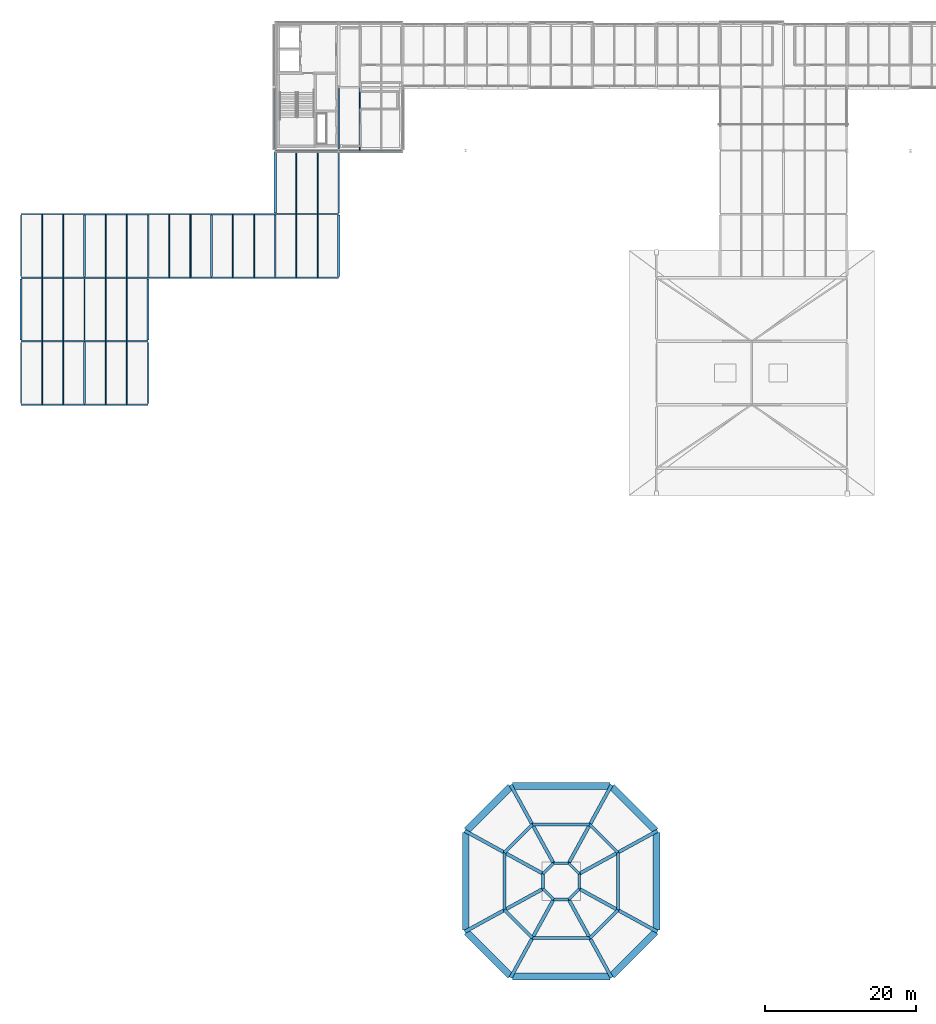
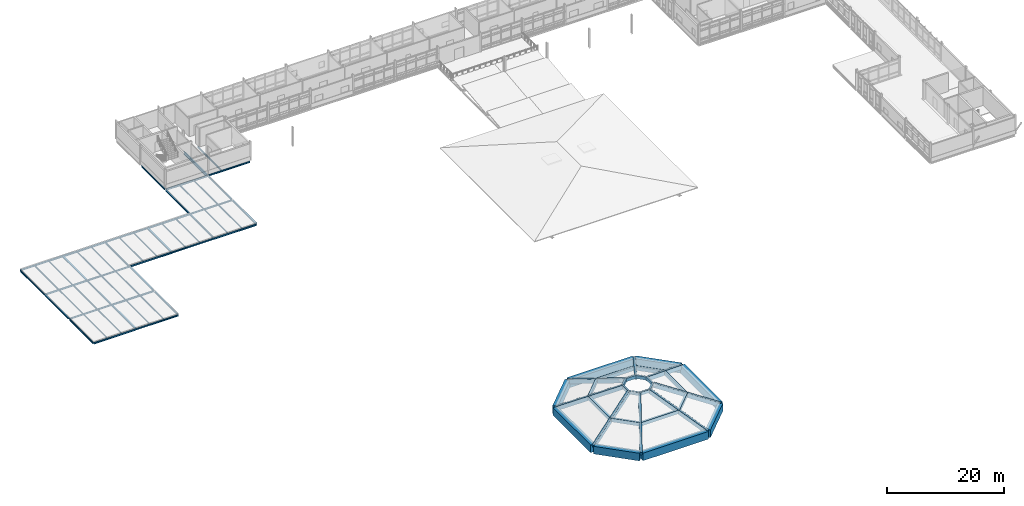
# One storey, part 7 of 66: 85 beams.
"""IFC4 building model written with IfcOpenShell, lengths in metres."""

from ifc_helpers import new_model, si_unit, direction, frame, origin, origin_2d, place, context, subcontext, project, spatial, rectangle, i_section, extrude, material, material_profile, profile_set, type_object, element, save


model = new_model("IFC4")

# Units and contexts
model_context = context("Model", 3, precision=1e-05, world=origin(), true_north=direction((0.0, 1.0)))
body_context = subcontext(model_context, "Body", "Model", "MODEL_VIEW")
ifc_project = project(units=[si_unit("LENGTHUNIT", "METRE"), si_unit("AREAUNIT", "SQUARE_METRE"), si_unit("VOLUMEUNIT", "CUBIC_METRE"), si_unit("PLANEANGLEUNIT", "RADIAN"), si_unit("MASSUNIT", "GRAM", prefix="KILO")], contexts=[model_context])

# Site, building, storey
site_placement = place(None, origin())
site = spatial("IfcSite", under=ifc_project, at=site_placement, CompositionType="ELEMENT")
building_placement = place(site_placement, origin())
building = spatial("IfcBuilding", under=site, at=building_placement, Name="Mersafa Astral City Hall", CompositionType="ELEMENT")
storey_placement = place(building_placement, frame((0.0, 0.0, 22.050048828125)))
storey = spatial("IfcBuildingStorey", under=building, at=storey_placement, Name="L05", CompositionType="ELEMENT", Elevation=22.050048828125)

# Beams
ifc_material_1 = material(Name="Steel S355", Category="steel")
ifc_material_profile_1 = material_profile(ifc_material_1, i_section(OverallWidth=0.219970703125, OverallDepth=0.60009765625, WebThickness=0.011962890625, FlangeThickness=0.01904296875, FilletRadius=0.02392578125, at=origin_2d()), Name="IPE 600")
ifc_profile_set_1 = profile_set([ifc_material_profile_1], Name="Steel S355")
beam_type_1 = type_object("IfcBeamType", Name="STR-BM-IPE600", PredefinedType="BEAM", material=ifc_profile_set_1)
beam_1_placement = place(storey_placement, frame((50.39990234375, 109.39501953125, -0.47998046875), z_axis=(0.0, 1.0, 0.0), x_axis=(-1.0, 0.0, 0.0)))
element("IfcBeam", 1, at=beam_1_placement, inside=storey, type_object=beam_type_1, Name="L05 Primary girder Y 6-13", PredefinedType="BEAM", context=body_context, shape_type="SweptSolid", body=[
    extrude(i_section(OverallWidth=0.219970703125, OverallDepth=0.60009765625, WebThickness=0.011962890625, FlangeThickness=0.01904296875, FilletRadius=0.02392578125, at=origin_2d()), origin(), (0.0, 0.0, 1.0), 8.010009765625),
])
ifc_material_profile_2 = material_profile(ifc_material_1, i_section(OverallWidth=0.135009765625, OverallDepth=0.27001953125, WebThickness=0.006591796875, FlangeThickness=0.01025390625, FilletRadius=0.014892578125, at=origin_2d()), Name="IPE 270")
ifc_profile_set_2 = profile_set([ifc_material_profile_2], Name="Steel S355")
beam_type_2 = type_object("IfcBeamType", Name="STR-BM-JOIST-IPE270", PredefinedType="JOIST", material=ifc_profile_set_2)
beam_2_placement = place(storey_placement, frame((53.199951171875, 109.27490234375, -0.31494140625), z_axis=(0.0, 1.0, 0.0), x_axis=(-1.0, 0.0, 0.0)))
element("IfcBeam", 2, at=beam_2_placement, inside=storey, type_object=beam_type_2, Name="L05 Composite secondary floor joist 785", PredefinedType="JOIST", context=body_context, shape_type="SweptSolid", body=[
    extrude(i_section(OverallWidth=0.135009765625, OverallDepth=0.27001953125, WebThickness=0.006591796875, FlangeThickness=0.01025390625, FilletRadius=0.014892578125, at=origin_2d()), origin(), (0.0, 0.0, 1.0), 8.22998046875),
])
for number, where, z_axis, x_axis, name in (
    (3, (11.199951171875, 75.679931640625, -0.3349609375), (0.0, 1.0, 0.0), (-1.0, 0.0, 0.0), "L05 Flat roof secondary joist 1"),
    (4, (14.0, 75.679931640625, -0.3349609375), (0.0, 1.0, 0.0), (-1.0, 0.0, 0.0), "L05 Flat roof secondary joist 2"),
    (5, (11.199951171875, 84.074951171875, -0.3349609375), (0.0, 1.0, 0.0), (-1.0, 0.0, 0.0), "L05 Flat roof secondary joist 3"),
    (6, (14.0, 84.074951171875, -0.3349609375), (0.0, 1.0, 0.0), (-1.0, 0.0, 0.0), "L05 Flat roof secondary joist 4"),
    (7, (11.199951171875, 92.47998046875, -0.3349609375), (0.0, 1.0, 0.0), (-1.0, 0.0, 0.0), "L05 Flat roof secondary joist 5"),
    (8, (14.0, 92.47998046875, -0.3349609375), (0.0, 1.0, 0.0), (-1.0, 0.0, 0.0), "L05 Flat roof secondary joist 6"),
):
    element("IfcBeam", number, at=place(storey_placement, frame(where, z_axis=z_axis, x_axis=x_axis)), inside=storey, type_object=beam_type_2, Name=name, PredefinedType="JOIST", context=body_context, shape_type="SweptSolid", body=[
        extrude(i_section(OverallWidth=0.135009765625, OverallDepth=0.27001953125, WebThickness=0.006591796875, FlangeThickness=0.01025390625, FilletRadius=0.014892578125, at=origin_2d()), origin(), (0.0, 0.0, 1.0), 8.2451171875),
    ])
for number, where, z_axis, x_axis, name in (
    (9, (19.60009765625, 75.675048828125, -0.3349609375), (0.0, 1.0, 0.0), (-1.0, 0.0, 0.0), "L05 Flat roof secondary joist 7"),
    (10, (22.39990234375, 75.675048828125, -0.3349609375), (0.0, 1.0, 0.0), (-1.0, 0.0, 0.0), "L05 Flat roof secondary joist 8"),
    (11, (19.60009765625, 84.080078125, -0.3349609375), (0.0, 1.0, 0.0), (-1.0, 0.0, 0.0), "L05 Flat roof secondary joist 9"),
    (12, (22.39990234375, 84.080078125, -0.3349609375), (0.0, 1.0, 0.0), (-1.0, 0.0, 0.0), "L05 Flat roof secondary joist 10"),
    (13, (19.60009765625, 92.47509765625, -0.3349609375), (0.0, 1.0, 0.0), (-1.0, 0.0, 0.0), "L05 Flat roof secondary joist 11"),
    (14, (22.39990234375, 92.47509765625, -0.3349609375), (0.0, 1.0, 0.0), (-1.0, 0.0, 0.0), "L05 Flat roof secondary joist 12"),
):
    element("IfcBeam", number, at=place(storey_placement, frame(where, z_axis=z_axis, x_axis=x_axis)), inside=storey, type_object=beam_type_2, Name=name, PredefinedType="JOIST", context=body_context, shape_type="SweptSolid", body=[
        extrude(i_section(OverallWidth=0.135009765625, OverallDepth=0.27001953125, WebThickness=0.006591796875, FlangeThickness=0.01025390625, FilletRadius=0.014892578125, at=origin_2d()), origin(), (0.0, 0.0, 1.0), 8.244873046875),
    ])
for number, where, z_axis, x_axis, name in (
    (15, (28.0, 92.47998046875, -0.3349609375), (0.0, 1.0, 0.0), (-1.0, 0.0, 0.0), "L05 Flat roof secondary joist 13"),
    (16, (30.800048828125, 92.47998046875, -0.3349609375), (0.0, 1.0, 0.0), (-1.0, 0.0, 0.0), "L05 Flat roof secondary joist 14"),
):
    element("IfcBeam", number, at=place(storey_placement, frame(where, z_axis=z_axis, x_axis=x_axis)), inside=storey, type_object=beam_type_2, Name=name, PredefinedType="JOIST", context=body_context, shape_type="SweptSolid", body=[
        extrude(i_section(OverallWidth=0.135009765625, OverallDepth=0.27001953125, WebThickness=0.006591796875, FlangeThickness=0.01025390625, FilletRadius=0.014892578125, at=origin_2d()), origin(), (0.0, 0.0, 1.0), 8.2451171875),
    ])
for number, where, z_axis, x_axis, name in (
    (17, (36.39990234375, 92.47509765625, -0.3349609375), (0.0, 1.0, 0.0), (-1.0, 0.0, 0.0), "L05 Flat roof secondary joist 15"),
    (18, (39.199951171875, 92.47509765625, -0.3349609375), (0.0, 1.0, 0.0), (-1.0, 0.0, 0.0), "L05 Flat roof secondary joist 16"),
):
    element("IfcBeam", number, at=place(storey_placement, frame(where, z_axis=z_axis, x_axis=x_axis)), inside=storey, type_object=beam_type_2, Name=name, PredefinedType="JOIST", context=body_context, shape_type="SweptSolid", body=[
        extrude(i_section(OverallWidth=0.135009765625, OverallDepth=0.27001953125, WebThickness=0.006591796875, FlangeThickness=0.01025390625, FilletRadius=0.014892578125, at=origin_2d()), origin(), (0.0, 0.0, 1.0), 8.244873046875),
    ])
for number, where, z_axis, x_axis, name in (
    (19, (44.800048828125, 92.47998046875, -0.3349609375), (0.0, 1.0, 0.0), (-1.0, 0.0, 0.0), "L05 Flat roof secondary joist 17"),
    (20, (47.60009765625, 92.47998046875, -0.3349609375), (0.0, 1.0, 0.0), (-1.0, 0.0, 0.0), "L05 Flat roof secondary joist 18"),
    (21, (44.800048828125, 100.875, -0.3349609375), (0.0, 1.0, 0.0), (-1.0, 0.0, 0.0), "L05 Flat roof secondary joist 19"),
    (22, (47.60009765625, 100.875, -0.3349609375), (0.0, 1.0, 0.0), (-1.0, 0.0, 0.0), "L05 Flat roof secondary joist 20"),
):
    element("IfcBeam", number, at=place(storey_placement, frame(where, z_axis=z_axis, x_axis=x_axis)), inside=storey, type_object=beam_type_2, Name=name, PredefinedType="JOIST", context=body_context, shape_type="SweptSolid", body=[
        extrude(i_section(OverallWidth=0.135009765625, OverallDepth=0.27001953125, WebThickness=0.006591796875, FlangeThickness=0.01025390625, FilletRadius=0.014892578125, at=origin_2d()), origin(), (0.0, 0.0, 1.0), 8.2451171875),
    ])
ifc_material_2 = material(Name="Concrete C40/50", Category="concrete")
ifc_material_profile_3 = material_profile(ifc_material_2, rectangle(XDim=0.35009765625, YDim=0.64990234375, at=origin_2d()), Name="RC 350x650")
ifc_profile_set_3 = profile_set([ifc_material_profile_3], Name="Concrete C40/50")
beam_type_3 = type_object("IfcBeamType", Name="STR-BM-RIB-RC350X650", PredefinedType="T_BEAM", material=ifc_profile_set_3)
beam_3_placement = place(storey_placement, frame((78.800048828125, 10.199951171875, 4.074951171875), z_axis=(1.0, 0.0, 0.0), x_axis=(0.0, 1.0, 0.0)))
element("IfcBeam", 23, at=beam_3_placement, inside=storey, type_object=beam_type_3, Name="Chamber solar oculus compression ring rib 1", PredefinedType="T_BEAM", context=body_context, shape_type="SweptSolid", body=[
    extrude(rectangle(XDim=0.35009765625, YDim=0.64990234375, at=origin_2d()), origin(), (0.0, 0.0, 1.0), 2.0),
])
beam_4_placement = place(storey_placement, frame((80.800048828125, 10.199951171875, 4.074951171875), z_axis=(0.707045124756, 0.707168432242, 0.0), x_axis=(-0.707168432242, 0.707045124756, 0.0)))
element("IfcBeam", 24, at=beam_4_placement, inside=storey, type_object=beam_type_3, Name="Chamber solar oculus compression ring rib 2", PredefinedType="T_BEAM", context=body_context, shape_type="SweptSolid", body=[
    extrude(rectangle(XDim=0.35009765625, YDim=0.64990234375, at=origin_2d()), origin(), (0.0, 0.0, 1.0), 1.97998046875),
])
beam_5_placement = place(storey_placement, frame((82.199951171875, 11.60009765625, 4.074951171875), z_axis=(0.0, 1.0, 0.0), x_axis=(-1.0, 0.0, 0.0)))
element("IfcBeam", 25, at=beam_5_placement, inside=storey, type_object=beam_type_3, Name="Chamber solar oculus compression ring rib 3", PredefinedType="T_BEAM", context=body_context, shape_type="SweptSolid", body=[
    extrude(rectangle(XDim=0.35009765625, YDim=0.64990234375, at=origin_2d()), origin(), (0.0, 0.0, 1.0), 2.0),
])
beam_6_placement = place(storey_placement, frame((82.199951171875, 13.60009765625, 4.074951171875), z_axis=(-0.707106781187, 0.707106781187, 0.0), x_axis=(-0.707106781187, -0.707106781187, 0.0)))
element("IfcBeam", 26, at=beam_6_placement, inside=storey, type_object=beam_type_3, Name="Chamber solar oculus compression ring rib 4", PredefinedType="T_BEAM", context=body_context, shape_type="SweptSolid", body=[
    extrude(rectangle(XDim=0.35009765625, YDim=0.64990234375, at=origin_2d()), origin(), (0.0, 0.0, 1.0), 1.979736328125),
])
beam_7_placement = place(storey_placement, frame((80.800048828125, 15.0, 4.074951171875), z_axis=(-1.0, 0.0, 0.0), x_axis=(0.0, -1.0, 0.0)))
element("IfcBeam", 27, at=beam_7_placement, inside=storey, type_object=beam_type_3, Name="Chamber solar oculus compression ring rib 5", PredefinedType="T_BEAM", context=body_context, shape_type="SweptSolid", body=[
    extrude(rectangle(XDim=0.35009765625, YDim=0.64990234375, at=origin_2d()), origin(), (0.0, 0.0, 1.0), 2.0),
])
beam_8_placement = place(storey_placement, frame((78.800048828125, 15.0, 4.074951171875), z_axis=(-0.707168432242, -0.707045124756, 0.0), x_axis=(0.707045124756, -0.707168432242, 0.0)))
element("IfcBeam", 28, at=beam_8_placement, inside=storey, type_object=beam_type_3, Name="Chamber solar oculus compression ring rib 6", PredefinedType="T_BEAM", context=body_context, shape_type="SweptSolid", body=[
    extrude(rectangle(XDim=0.35009765625, YDim=0.64990234375, at=origin_2d()), origin(), (0.0, 0.0, 1.0), 1.97998046875),
])
beam_9_placement = place(storey_placement, frame((77.39990234375, 13.60009765625, 4.074951171875), z_axis=(0.0, -1.0, 0.0), x_axis=(1.0, 0.0, 0.0)))
element("IfcBeam", 29, at=beam_9_placement, inside=storey, type_object=beam_type_3, Name="Chamber solar oculus compression ring rib 7", PredefinedType="T_BEAM", context=body_context, shape_type="SweptSolid", body=[
    extrude(rectangle(XDim=0.35009765625, YDim=0.64990234375, at=origin_2d()), origin(), (0.0, 0.0, 1.0), 2.0),
])
beam_10_placement = place(storey_placement, frame((77.39990234375, 11.60009765625, 4.074951171875), z_axis=(0.707106781187, -0.707106781187, 0.0), x_axis=(0.707106781187, 0.707106781187, 0.0)))
element("IfcBeam", 30, at=beam_10_placement, inside=storey, type_object=beam_type_3, Name="Chamber solar oculus compression ring rib 8", PredefinedType="T_BEAM", context=body_context, shape_type="SweptSolid", body=[
    extrude(rectangle(XDim=0.35009765625, YDim=0.64990234375, at=origin_2d()), origin(), (0.0, 0.0, 1.0), 1.980224609375),
])
ifc_material_profile_4 = material_profile(ifc_material_2, rectangle(XDim=0.39990234375, YDim=0.75, at=origin_2d()), Name="RC 400x750")
ifc_profile_set_4 = profile_set([ifc_material_profile_4], Name="Concrete C40/50")
beam_type_4 = type_object("IfcBeamType", Name="STR-BM-RIB-RC400X750", PredefinedType="T_BEAM", material=ifc_profile_set_4)
beam_11_placement = place(storey_placement, frame((76.0, 5.10009765625, 1.824951171875), z_axis=(1.0, 0.0, 0.0), x_axis=(0.0, 1.0, 0.0)))
element("IfcBeam", 31, at=beam_11_placement, inside=storey, type_object=beam_type_4, Name="Chamber mid-ring coffer rib 1", PredefinedType="T_BEAM", context=body_context, shape_type="SweptSolid", body=[
    extrude(rectangle(XDim=0.39990234375, YDim=0.75, at=origin_2d()), origin(), (0.0, 0.0, 1.0), 7.60009765625),
])
beam_12_placement = place(storey_placement, frame((83.60009765625, 5.10009765625, 1.824951171875), z_axis=(0.707106781187, 0.707106781187, 0.0), x_axis=(-0.707106781187, 0.707106781187, 0.0)))
element("IfcBeam", 32, at=beam_12_placement, inside=storey, type_object=beam_type_4, Name="Chamber mid-ring coffer rib 2", PredefinedType="T_BEAM", context=body_context, shape_type="SweptSolid", body=[
    extrude(rectangle(XDim=0.39990234375, YDim=0.75, at=origin_2d()), origin(), (0.0, 0.0, 1.0), 5.232421875),
])
beam_13_placement = place(storey_placement, frame((87.300048828125, 8.800048828125, 1.824951171875), z_axis=(0.0, 1.0, 0.0), x_axis=(-1.0, 0.0, 0.0)))
element("IfcBeam", 33, at=beam_13_placement, inside=storey, type_object=beam_type_4, Name="Chamber mid-ring coffer rib 3", PredefinedType="T_BEAM", context=body_context, shape_type="SweptSolid", body=[
    extrude(rectangle(XDim=0.39990234375, YDim=0.75, at=origin_2d()), origin(), (0.0, 0.0, 1.0), 7.599853515625),
])
beam_14_placement = place(storey_placement, frame((87.300048828125, 16.39990234375, 1.824951171875), z_axis=(-0.707083452413, 0.70713010919, 0.0), x_axis=(-0.70713010919, -0.707083452413, 0.0)))
element("IfcBeam", 34, at=beam_14_placement, inside=storey, type_object=beam_type_4, Name="Chamber mid-ring coffer rib 4", PredefinedType="T_BEAM", context=body_context, shape_type="SweptSolid", body=[
    extrude(rectangle(XDim=0.39990234375, YDim=0.75, at=origin_2d()), origin(), (0.0, 0.0, 1.0), 5.232666015625),
])
beam_15_placement = place(storey_placement, frame((83.60009765625, 20.10009765625, 1.824951171875), z_axis=(-1.0, 0.0, 0.0), x_axis=(0.0, -1.0, 0.0)))
element("IfcBeam", 35, at=beam_15_placement, inside=storey, type_object=beam_type_4, Name="Chamber mid-ring coffer rib 5", PredefinedType="T_BEAM", context=body_context, shape_type="SweptSolid", body=[
    extrude(rectangle(XDim=0.39990234375, YDim=0.75, at=origin_2d()), origin(), (0.0, 0.0, 1.0), 7.60009765625),
])
beam_16_placement = place(storey_placement, frame((76.0, 20.10009765625, 1.824951171875), z_axis=(-0.707083452413, -0.70713010919, 0.0), x_axis=(0.70713010919, -0.707083452413, 0.0)))
element("IfcBeam", 36, at=beam_16_placement, inside=storey, type_object=beam_type_4, Name="Chamber mid-ring coffer rib 6", PredefinedType="T_BEAM", context=body_context, shape_type="SweptSolid", body=[
    extrude(rectangle(XDim=0.39990234375, YDim=0.75, at=origin_2d()), origin(), (0.0, 0.0, 1.0), 5.232666015625),
])
beam_17_placement = place(storey_placement, frame((72.300048828125, 16.39990234375, 1.824951171875), z_axis=(0.0, -1.0, 0.0), x_axis=(1.0, 0.0, 0.0)))
element("IfcBeam", 37, at=beam_17_placement, inside=storey, type_object=beam_type_4, Name="Chamber mid-ring coffer rib 7", PredefinedType="T_BEAM", context=body_context, shape_type="SweptSolid", body=[
    extrude(rectangle(XDim=0.39990234375, YDim=0.75, at=origin_2d()), origin(), (0.0, 0.0, 1.0), 7.599853515625),
])
beam_18_placement = place(storey_placement, frame((72.300048828125, 8.800048828125, 1.824951171875), z_axis=(0.707106781187, -0.707106781187, 0.0), x_axis=(0.707106781187, 0.707106781187, 0.0)))
element("IfcBeam", 38, at=beam_18_placement, inside=storey, type_object=beam_type_4, Name="Chamber mid-ring coffer rib 8", PredefinedType="T_BEAM", context=body_context, shape_type="SweptSolid", body=[
    extrude(rectangle(XDim=0.39990234375, YDim=0.75, at=origin_2d()), origin(), (0.0, 0.0, 1.0), 5.232421875),
])
ifc_material_profile_5 = material_profile(ifc_material_2, rectangle(XDim=0.449951171875, YDim=0.85009765625, at=origin_2d()), Name="RC 450x850")
ifc_profile_set_5 = profile_set([ifc_material_profile_5], Name="Concrete C40/50")
beam_type_5 = type_object("IfcBeamType", Name="STR-BM-RIB-RC450X850", PredefinedType="T_BEAM", material=ifc_profile_set_5)
for number, where, z_axis, x_axis, name in (
    (39, (73.199951171875, 0.0, -0.425048828125), (0.450160421373, 0.819916829912, 0.353683456011), (-0.876574038386, 0.481267031104, 0.0), "Chamber radial coffered shell rib 1"),
    (40, (86.39990234375, 0.0, -0.425048828125), (-0.450144772986, 0.819924073357, 0.35368658058), (-0.876582889591, -0.481250909274, 0.0), "Chamber radial coffered shell rib 2"),
    (41, (92.39990234375, 6.0, -0.425048828125), (-0.819916829912, 0.450160421373, 0.353683456011), (-0.481267031104, -0.876574038386, 0.0), "Chamber radial coffered shell rib 3"),
    (42, (92.39990234375, 19.199951171875, -0.425048828125), (-0.819924073357, -0.450144772986, 0.35368658058), (0.481250909274, -0.876582889591, 0.0), "Chamber radial coffered shell rib 4"),
    (43, (86.39990234375, 25.199951171875, -0.425048828125), (-0.450144772986, -0.819924073357, 0.35368658058), (0.876582889591, -0.481250909274, 0.0), "Chamber radial coffered shell rib 5"),
    (44, (73.199951171875, 25.199951171875, -0.425048828125), (0.450160421373, -0.819916829912, 0.353683456011), (0.876574038386, 0.481267031104, 0.0), "Chamber radial coffered shell rib 6"),
    (45, (67.199951171875, 19.199951171875, -0.425048828125), (0.819924073357, -0.450144772986, 0.35368658058), (0.481250909274, 0.876582889591, 0.0), "Chamber radial coffered shell rib 7"),
    (46, (67.199951171875, 6.0, -0.425048828125), (0.819916829912, 0.450160421373, 0.353683456011), (-0.481267031104, 0.876574038386, 0.0), "Chamber radial coffered shell rib 8"),
):
    element("IfcBeam", number, at=place(storey_placement, frame(where, z_axis=z_axis, x_axis=x_axis)), inside=storey, type_object=beam_type_5, Name=name, PredefinedType="T_BEAM", context=body_context, shape_type="SweptSolid", body=[
        extrude(rectangle(XDim=0.449951171875, YDim=0.85009765625, at=origin_2d()), origin(), (0.0, 0.0, 1.0), 12.440185546875),
    ])
ifc_material_profile_6 = material_profile(ifc_material_2, rectangle(XDim=0.89990234375, YDim=1.60009765625, at=origin_2d()), Name="RC 900x1600")
ifc_profile_set_6 = profile_set([ifc_material_profile_6], Name="Concrete C40/50")
beam_type_6 = type_object("IfcBeamType", Name="STR-BM-RING-RC900X1600", PredefinedType="BEAM", material=ifc_profile_set_6)
beam_19_placement = place(storey_placement, frame((73.35009765625, 0.0, -0.800048828125), z_axis=(1.0, 0.0, 0.0), x_axis=(0.0, 1.0, 0.0)))
element("IfcBeam", 47, at=beam_19_placement, inside=storey, type_object=beam_type_6, Name="Chamber visible edge ring beam RB-1", PredefinedType="BEAM", context=body_context, shape_type="SweptSolid", body=[
    extrude(rectangle(XDim=0.89990234375, YDim=1.60009765625, at=origin_2d()), origin(), (0.0, 0.0, 1.0), 12.89990234375),
])
beam_20_placement = place(storey_placement, frame((86.506103515625, 0.106201171875, -0.800048828125), z_axis=(0.707121694804, 0.707091867255, 0.0), x_axis=(-0.707091867255, 0.707121694804, 0.0)))
element("IfcBeam", 48, at=beam_20_placement, inside=storey, type_object=beam_type_6, Name="Chamber visible edge ring beam RB-2", PredefinedType="BEAM", context=body_context, shape_type="SweptSolid", body=[
    extrude(rectangle(XDim=0.89990234375, YDim=1.60009765625, at=origin_2d()), origin(), (0.0, 0.0, 1.0), 8.18505859375),
])
beam_21_placement = place(storey_placement, frame((92.39990234375, 6.14990234375, -0.800048828125), z_axis=(0.0, 1.0, 0.0), x_axis=(-1.0, 0.0, 0.0)))
element("IfcBeam", 49, at=beam_21_placement, inside=storey, type_object=beam_type_6, Name="Chamber visible edge ring beam RB-3", PredefinedType="BEAM", context=body_context, shape_type="SweptSolid", body=[
    extrude(rectangle(XDim=0.89990234375, YDim=1.60009765625, at=origin_2d()), origin(), (0.0, 0.0, 1.0), 12.900146484375),
])
beam_22_placement = place(storey_placement, frame((92.2939453125, 19.30615234375, -0.800048828125), z_axis=(-0.707106781187, 0.707106781187, 0.0), x_axis=(-0.707106781187, -0.707106781187, 0.0)))
element("IfcBeam", 50, at=beam_22_placement, inside=storey, type_object=beam_type_6, Name="Chamber visible edge ring beam RB-4", PredefinedType="BEAM", context=body_context, shape_type="SweptSolid", body=[
    extrude(rectangle(XDim=0.89990234375, YDim=1.60009765625, at=origin_2d()), origin(), (0.0, 0.0, 1.0), 8.185302734375),
])
beam_23_placement = place(storey_placement, frame((86.25, 25.199951171875, -0.800048828125), z_axis=(-1.0, 0.0, 0.0), x_axis=(0.0, -1.0, 0.0)))
element("IfcBeam", 51, at=beam_23_placement, inside=storey, type_object=beam_type_6, Name="Chamber visible edge ring beam RB-5", PredefinedType="BEAM", context=body_context, shape_type="SweptSolid", body=[
    extrude(rectangle(XDim=0.89990234375, YDim=1.60009765625, at=origin_2d()), origin(), (0.0, 0.0, 1.0), 12.89990234375),
])
beam_24_placement = place(storey_placement, frame((73.093994140625, 25.093994140625, -0.800048828125), z_axis=(-0.707106781187, -0.707106781187, 0.0), x_axis=(0.707106781187, -0.707106781187, 0.0)))
element("IfcBeam", 52, at=beam_24_placement, inside=storey, type_object=beam_type_6, Name="Chamber visible edge ring beam RB-6", PredefinedType="BEAM", context=body_context, shape_type="SweptSolid", body=[
    extrude(rectangle(XDim=0.89990234375, YDim=1.60009765625, at=origin_2d()), origin(), (0.0, 0.0, 1.0), 8.185302734375),
])
beam_25_placement = place(storey_placement, frame((67.199951171875, 19.050048828125, -0.800048828125), z_axis=(0.0, -1.0, 0.0), x_axis=(1.0, 0.0, 0.0)))
element("IfcBeam", 53, at=beam_25_placement, inside=storey, type_object=beam_type_6, Name="Chamber visible edge ring beam RB-7", PredefinedType="BEAM", context=body_context, shape_type="SweptSolid", body=[
    extrude(rectangle(XDim=0.89990234375, YDim=1.60009765625, at=origin_2d()), origin(), (0.0, 0.0, 1.0), 12.900146484375),
])
beam_26_placement = place(storey_placement, frame((67.30615234375, 5.893798828125, -0.800048828125), z_axis=(0.707121694804, -0.707091867255, 0.0), x_axis=(0.707091867255, 0.707121694804, 0.0)))
element("IfcBeam", 54, at=beam_26_placement, inside=storey, type_object=beam_type_6, Name="Chamber visible edge ring beam RB-8", PredefinedType="BEAM", context=body_context, shape_type="SweptSolid", body=[
    extrude(rectangle(XDim=0.89990234375, YDim=1.60009765625, at=origin_2d()), origin(), (0.0, 0.0, 1.0), 8.18505859375),
])
ifc_material_profile_7 = material_profile(ifc_material_1, i_section(OverallWidth=0.280029296875, OverallDepth=0.27001953125, WebThickness=0.008056640625, FlangeThickness=0.012939453125, FilletRadius=0.02392578125, at=origin_2d()), Name="HEA 280")
ifc_profile_set_7 = profile_set([ifc_material_profile_7], Name="Steel S355")
beam_type_7 = type_object("IfcBeamType", Name="STR-BM-SPANDREL-HEA280", PredefinedType="SPANDREL", material=ifc_profile_set_7)
for number, where, z_axis, x_axis, name in (
    (55, (8.39990234375, 84.14501953125, -0.3349609375), (0.0, 1.0, 0.0), (-1.0, 0.0, 0.0), "L05 Primary girder Y 1-10"),
    (56, (16.800048828125, 75.7451171875, -0.3349609375), (0.0, 1.0, 0.0), (-1.0, 0.0, 0.0), "L05 Primary girder Y 2-9"),
):
    element("IfcBeam", number, at=place(storey_placement, frame(where, z_axis=z_axis, x_axis=x_axis)), inside=storey, type_object=beam_type_7, Name=name, PredefinedType="SPANDREL", context=body_context, shape_type="SweptSolid", body=[
        extrude(i_section(OverallWidth=0.280029296875, OverallDepth=0.27001953125, WebThickness=0.008056640625, FlangeThickness=0.012939453125, FilletRadius=0.02392578125, at=origin_2d()), origin(), (0.0, 0.0, 1.0), 8.10986328125),
    ])
beam_27_placement = place(storey_placement, frame((16.800048828125, 92.544921875, -0.3349609375), z_axis=(0.0, 1.0, 0.0), x_axis=(-1.0, 0.0, 0.0)))
element("IfcBeam", 57, at=beam_27_placement, inside=storey, type_object=beam_type_7, Name="L05 Primary girder Y 2-11", PredefinedType="SPANDREL", context=body_context, shape_type="SweptSolid", body=[
    extrude(i_section(OverallWidth=0.280029296875, OverallDepth=0.27001953125, WebThickness=0.008056640625, FlangeThickness=0.012939453125, FilletRadius=0.02392578125, at=origin_2d()), origin(), (0.0, 0.0, 1.0), 8.110107421875),
])
beam_28_placement = place(storey_placement, frame((25.199951171875, 84.14501953125, -0.3349609375), z_axis=(0.0, 1.0, 0.0), x_axis=(-1.0, 0.0, 0.0)))
element("IfcBeam", 58, at=beam_28_placement, inside=storey, type_object=beam_type_7, Name="L05 Primary girder Y 3-10", PredefinedType="SPANDREL", context=body_context, shape_type="SweptSolid", body=[
    extrude(i_section(OverallWidth=0.280029296875, OverallDepth=0.27001953125, WebThickness=0.008056640625, FlangeThickness=0.012939453125, FilletRadius=0.02392578125, at=origin_2d()), origin(), (0.0, 0.0, 1.0), 8.10986328125),
])
beam_29_placement = place(storey_placement, frame((33.60009765625, 92.544921875, -0.3349609375), z_axis=(0.0, 1.0, 0.0), x_axis=(-1.0, 0.0, 0.0)))
element("IfcBeam", 59, at=beam_29_placement, inside=storey, type_object=beam_type_7, Name="L05 Primary girder Y 4-11", PredefinedType="SPANDREL", context=body_context, shape_type="SweptSolid", body=[
    extrude(i_section(OverallWidth=0.280029296875, OverallDepth=0.27001953125, WebThickness=0.008056640625, FlangeThickness=0.012939453125, FilletRadius=0.02392578125, at=origin_2d()), origin(), (0.0, 0.0, 1.0), 8.110107421875),
])
beam_30_placement = place(storey_placement, frame((42.0, 100.945068359375, -0.3349609375), z_axis=(0.0, 1.0, 0.0), x_axis=(-1.0, 0.0, 0.0)))
element("IfcBeam", 60, at=beam_30_placement, inside=storey, type_object=beam_type_7, Name="L05 Primary girder Y 5-12", PredefinedType="SPANDREL", context=body_context, shape_type="SweptSolid", body=[
    extrude(i_section(OverallWidth=0.280029296875, OverallDepth=0.27001953125, WebThickness=0.008056640625, FlangeThickness=0.012939453125, FilletRadius=0.02392578125, at=origin_2d()), origin(), (0.0, 0.0, 1.0), 8.059814453125),
])
beam_31_placement = place(storey_placement, frame((50.39990234375, 92.544921875, -0.3349609375), z_axis=(0.0, 1.0, 0.0), x_axis=(-1.0, 0.0, 0.0)))
element("IfcBeam", 61, at=beam_31_placement, inside=storey, type_object=beam_type_7, Name="L05 Primary girder Y 6-11", PredefinedType="SPANDREL", context=body_context, shape_type="SweptSolid", body=[
    extrude(i_section(OverallWidth=0.280029296875, OverallDepth=0.27001953125, WebThickness=0.008056640625, FlangeThickness=0.012939453125, FilletRadius=0.02392578125, at=origin_2d()), origin(), (0.0, 0.0, 1.0), 8.110107421875),
])
ifc_material_profile_8 = material_profile(ifc_material_1, i_section(OverallWidth=0.159912109375, OverallDepth=0.330078125, WebThickness=0.007568359375, FlangeThickness=0.011474609375, FilletRadius=0.01806640625, at=origin_2d()), Name="IPE 330")
ifc_profile_set_8 = profile_set([ifc_material_profile_8], Name="Steel S355")
beam_type_8 = type_object("IfcBeamType", Name="STR-BM-SPANDREL-IPE330", PredefinedType="SPANDREL", material=ifc_profile_set_8)
for number, where, z_axis, x_axis, name in (
    (62, (16.802978515625, 75.60009765625, -0.364990234375), (1.0, 0.0, 0.0), (0.0, 1.0, 0.0), "L05 Primary girder X 2-9"),
    (63, (8.403076171875, 84.0, -0.364990234375), (1.0, 0.0, 0.0), (0.0, 1.0, 0.0), "L05 Primary girder X 1-10"),
    (64, (16.802978515625, 92.39990234375, -0.364990234375), (1.0, 0.0, 0.0), (0.0, 1.0, 0.0), "L05 Primary girder X 2-11"),
    (65, (33.60302734375, 92.39990234375, -0.364990234375), (1.0, 0.0, 0.0), (0.0, 1.0, 0.0), "L05 Primary girder X 4-11"),
    (66, (8.403076171875, 100.800048828125, -0.364990234375), (1.0, 0.0, 0.0), (0.0, 1.0, 0.0), "L05 Primary girder X 1-12"),
    (67, (25.202880859375, 100.800048828125, -0.364990234375), (1.0, 0.0, 0.0), (0.0, 1.0, 0.0), "L05 Primary girder X 3-12"),
    (68, (42.0029296875, 100.800048828125, -0.364990234375), (1.0, 0.0, 0.0), (0.0, 1.0, 0.0), "L05 Primary girder X 5-12"),
    (69, (50.403076171875, 109.199951171875, -0.344970703125), (1.0, 0.0, 0.0), (0.0, 1.0, 0.0), "L05 Primary girder X 6-13"),
):
    element("IfcBeam", number, at=place(storey_placement, frame(where, z_axis=z_axis, x_axis=x_axis)), inside=storey, type_object=beam_type_8, Name=name, PredefinedType="SPANDREL", context=body_context, shape_type="SweptSolid", body=[
        extrude(i_section(OverallWidth=0.159912109375, OverallDepth=0.330078125, WebThickness=0.007568359375, FlangeThickness=0.011474609375, FilletRadius=0.01806640625, at=origin_2d()), origin(), (0.0, 0.0, 1.0), 8.39404296875),
    ])
ifc_material_profile_9 = material_profile(ifc_material_1, i_section(OverallWidth=0.169921875, OverallDepth=0.360107421875, WebThickness=0.008056640625, FlangeThickness=0.0126953125, FilletRadius=0.01806640625, at=origin_2d()), Name="IPE 360")
ifc_profile_set_9 = profile_set([ifc_material_profile_9], Name="Steel S355")
beam_type_9 = type_object("IfcBeamType", Name="STR-BM-SPANDREL-IPE360", PredefinedType="SPANDREL", material=ifc_profile_set_9)
for number, where, z_axis, x_axis, name in (
    (70, (8.403076171875, 75.60009765625, -0.380126953125), (1.0, 0.0, 0.0), (0.0, 1.0, 0.0), "L05 Primary girder X 1-9"),
    (71, (16.802978515625, 84.0, -0.380126953125), (1.0, 0.0, 0.0), (0.0, 1.0, 0.0), "L05 Primary girder X 2-10"),
    (72, (8.403076171875, 92.39990234375, -0.380126953125), (1.0, 0.0, 0.0), (0.0, 1.0, 0.0), "L05 Primary girder X 1-11"),
    (73, (25.202880859375, 92.39990234375, -0.380126953125), (1.0, 0.0, 0.0), (0.0, 1.0, 0.0), "L05 Primary girder X 3-11"),
    (74, (42.0029296875, 92.39990234375, -0.380126953125), (1.0, 0.0, 0.0), (0.0, 1.0, 0.0), "L05 Primary girder X 5-11"),
    (75, (16.802978515625, 100.800048828125, -0.380126953125), (1.0, 0.0, 0.0), (0.0, 1.0, 0.0), "L05 Primary girder X 2-12"),
    (76, (33.60302734375, 100.800048828125, -0.380126953125), (1.0, 0.0, 0.0), (0.0, 1.0, 0.0), "L05 Primary girder X 4-12"),
    (77, (42.0029296875, 109.199951171875, -0.380126953125), (1.0, 0.0, 0.0), (0.0, 1.0, 0.0), "L05 Primary girder X 5-13"),
):
    element("IfcBeam", number, at=place(storey_placement, frame(where, z_axis=z_axis, x_axis=x_axis)), inside=storey, type_object=beam_type_9, Name=name, PredefinedType="SPANDREL", context=body_context, shape_type="SweptSolid", body=[
        extrude(i_section(OverallWidth=0.169921875, OverallDepth=0.360107421875, WebThickness=0.008056640625, FlangeThickness=0.0126953125, FilletRadius=0.01806640625, at=origin_2d()), origin(), (0.0, 0.0, 1.0), 8.39404296875),
    ])
beam_32_placement = place(storey_placement, frame((8.39990234375, 75.7451171875, -0.380126953125), z_axis=(0.0, 1.0, 0.0), x_axis=(-1.0, 0.0, 0.0)))
element("IfcBeam", 78, at=beam_32_placement, inside=storey, type_object=beam_type_9, Name="L05 Primary girder Y 1-9", PredefinedType="SPANDREL", context=body_context, shape_type="SweptSolid", body=[
    extrude(i_section(OverallWidth=0.169921875, OverallDepth=0.360107421875, WebThickness=0.008056640625, FlangeThickness=0.0126953125, FilletRadius=0.01806640625, at=origin_2d()), origin(), (0.0, 0.0, 1.0), 8.10986328125),
])
beam_33_placement = place(storey_placement, frame((8.39990234375, 92.544921875, -0.380126953125), z_axis=(0.0, 1.0, 0.0), x_axis=(-1.0, 0.0, 0.0)))
element("IfcBeam", 79, at=beam_33_placement, inside=storey, type_object=beam_type_9, Name="L05 Primary girder Y 1-11", PredefinedType="SPANDREL", context=body_context, shape_type="SweptSolid", body=[
    extrude(i_section(OverallWidth=0.169921875, OverallDepth=0.360107421875, WebThickness=0.008056640625, FlangeThickness=0.0126953125, FilletRadius=0.01806640625, at=origin_2d()), origin(), (0.0, 0.0, 1.0), 8.110107421875),
])
for number, where, z_axis, x_axis, name in (
    (80, (16.800048828125, 84.14501953125, -0.380126953125), (0.0, 1.0, 0.0), (-1.0, 0.0, 0.0), "L05 Primary girder Y 2-10"),
    (81, (25.199951171875, 75.7451171875, -0.380126953125), (0.0, 1.0, 0.0), (-1.0, 0.0, 0.0), "L05 Primary girder Y 3-9"),
):
    element("IfcBeam", number, at=place(storey_placement, frame(where, z_axis=z_axis, x_axis=x_axis)), inside=storey, type_object=beam_type_9, Name=name, PredefinedType="SPANDREL", context=body_context, shape_type="SweptSolid", body=[
        extrude(i_section(OverallWidth=0.169921875, OverallDepth=0.360107421875, WebThickness=0.008056640625, FlangeThickness=0.0126953125, FilletRadius=0.01806640625, at=origin_2d()), origin(), (0.0, 0.0, 1.0), 8.10986328125),
    ])
for number, where, z_axis, x_axis, name in (
    (82, (25.199951171875, 92.544921875, -0.380126953125), (0.0, 1.0, 0.0), (-1.0, 0.0, 0.0), "L05 Primary girder Y 3-11"),
    (83, (42.0, 92.544921875, -0.380126953125), (0.0, 1.0, 0.0), (-1.0, 0.0, 0.0), "L05 Primary girder Y 5-11"),
):
    element("IfcBeam", number, at=place(storey_placement, frame(where, z_axis=z_axis, x_axis=x_axis)), inside=storey, type_object=beam_type_9, Name=name, PredefinedType="SPANDREL", context=body_context, shape_type="SweptSolid", body=[
        extrude(i_section(OverallWidth=0.169921875, OverallDepth=0.360107421875, WebThickness=0.008056640625, FlangeThickness=0.0126953125, FilletRadius=0.01806640625, at=origin_2d()), origin(), (0.0, 0.0, 1.0), 8.110107421875),
    ])
beam_34_placement = place(storey_placement, frame((42.0, 109.39501953125, -0.360107421875), z_axis=(0.0, 1.0, 0.0), x_axis=(-1.0, 0.0, 0.0)))
element("IfcBeam", 84, at=beam_34_placement, inside=storey, type_object=beam_type_9, Name="L05 Primary girder Y 5-13", PredefinedType="SPANDREL", context=body_context, shape_type="SweptSolid", body=[
    extrude(i_section(OverallWidth=0.169921875, OverallDepth=0.360107421875, WebThickness=0.008056640625, FlangeThickness=0.0126953125, FilletRadius=0.01806640625, at=origin_2d()), origin(), (0.0, 0.0, 1.0), 8.010009765625),
])
beam_35_placement = place(storey_placement, frame((50.39990234375, 100.945068359375, -0.380126953125), z_axis=(0.0, 1.0, 0.0), x_axis=(-1.0, 0.0, 0.0)))
element("IfcBeam", 85, at=beam_35_placement, inside=storey, type_object=beam_type_9, Name="L05 Primary girder Y 6-12", PredefinedType="SPANDREL", context=body_context, shape_type="SweptSolid", body=[
    extrude(i_section(OverallWidth=0.169921875, OverallDepth=0.360107421875, WebThickness=0.008056640625, FlangeThickness=0.0126953125, FilletRadius=0.01806640625, at=origin_2d()), origin(), (0.0, 0.0, 1.0), 8.059814453125),
])

save(model, "model.ifc")
